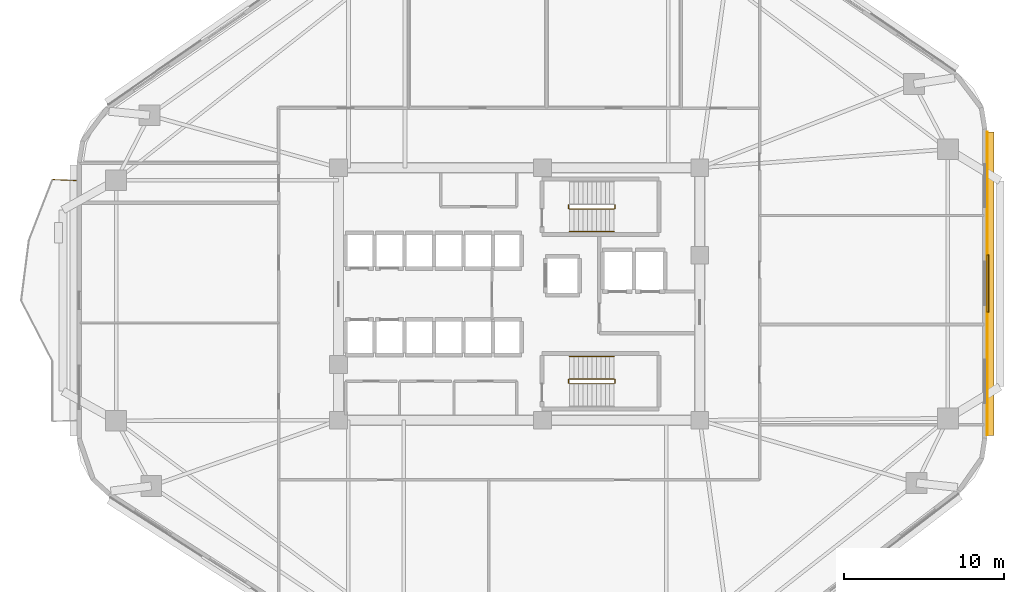
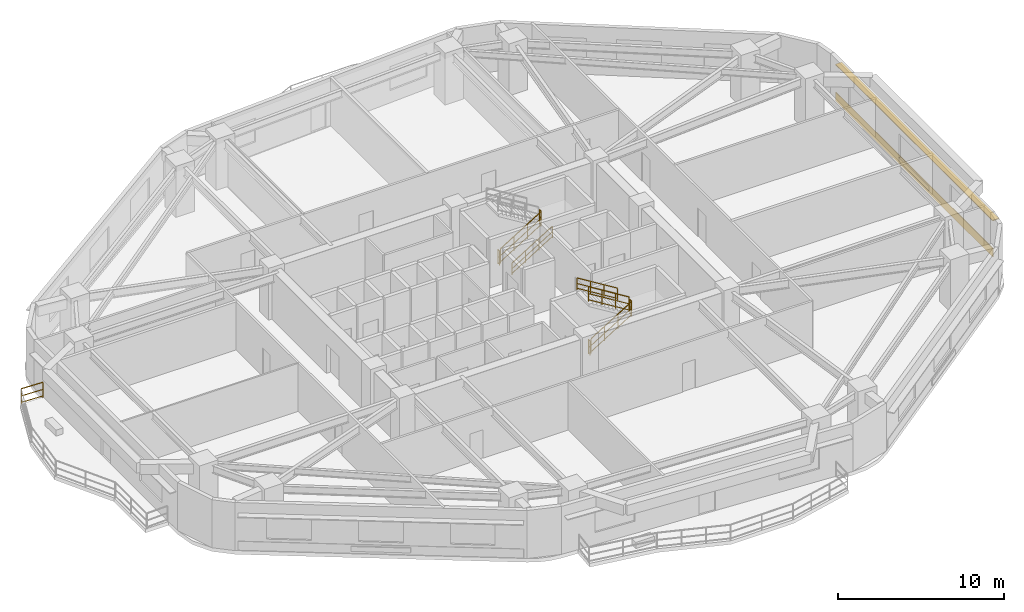
# One storey, part 8 of 9: 10 railings, 2 shading devices, 1 covering.
"""IFC4 building model written with IfcOpenShell, lengths in metres."""

from ifc_helpers import new_model, si_unit, direction, frame, origin, origin_2d, place, context, subcontext, project, spatial, rectangle, extrude, material, layer, layer_set, type_object, element, save


model = new_model("IFC4")

# Units and contexts
model_context = context("Model", 3, precision=1e-05, world=origin(), true_north=direction((0.0, 1.0)))
body_context = subcontext(model_context, "Body", "Model", "MODEL_VIEW")
ifc_project = project(units=[si_unit("LENGTHUNIT", "METRE"), si_unit("AREAUNIT", "SQUARE_METRE"), si_unit("VOLUMEUNIT", "CUBIC_METRE"), si_unit("PLANEANGLEUNIT", "RADIAN"), si_unit("MASSUNIT", "GRAM", prefix="KILO")], contexts=[model_context])

# Site, building, storey
site_placement = place(None, origin())
site = spatial("IfcSite", under=ifc_project, at=site_placement, CompositionType="ELEMENT")
building_placement = place(site_placement, origin())
building = spatial("IfcBuilding", under=site, at=building_placement, Name="Zulverin Broadcast Headquarters", CompositionType="ELEMENT")
storey_placement = place(building_placement, frame((0.0, 0.0, 51.60009765625)))
storey = spatial("IfcBuildingStorey", under=building, at=storey_placement, Name="L12", CompositionType="ELEMENT", Elevation=51.60009765625)

# Covering
ifc_material_1 = material(Name="Brushed pale-aluminium rainscreen cladding", Category="aluminium")
ifc_layer_1 = layer(ifc_material_1, 0.0400390625, Name="Brushed pale-aluminium rainscreen cladding", Category="aluminium")
ifc_layer_set_1 = layer_set([ifc_layer_1], Name="Brushed pale-aluminium rainscreen cladding")
covering_type = type_object("IfcCoveringType", Name="COV-CLAD-PALE", PredefinedType="CLADDING", material=ifc_layer_set_1)
covering_placement = place(storey_placement, frame((66.2099609375, 25.848876953125, 0.054931640625), z_axis=(0.0, 0.0, 1.0), x_axis=(0.0, 1.0, 0.0)))
element("IfcCovering", 1, at=covering_placement, inside=storey, type_object=covering_type, Name="L12 Brushed Pale-Aluminium Spandrel Cladding 3", PredefinedType="CLADDING", context=body_context, shape_type="SweptSolid", body=[
    extrude(rectangle(XDim=18.93115234375, YDim=0.0400390625, at=origin_2d()), origin(), (0.0, 0.0, 1.0), 0.64990234375),
])

# Railings
ifc_material_2 = material(Name="Brushed stainless steel & laminated glass balustrade", Category="steel")
railing_type_1 = type_object("IfcRailingType", Name="RL-GUARD-1150", PredefinedType="GUARDRAIL", material=ifc_material_2)
railing_1_placement = place(storey_placement, frame((9.360107421875, 32.284423828125, 0.0)))
element("IfcRailing", 2, at=railing_1_placement, inside=storey, type_object=railing_type_1, Name="L12 Vertical-Forest Balcony Guardrail BAL_W Segment 01", PredefinedType="GUARDRAIL", context=body_context, shape_type="SweptSolid", body=[
    extrude(rectangle(XDim=0.048095703125, YDim=0.048095703125, at=origin_2d()), frame((0.0, 0.0, 1.1259765625), z_axis=(-0.999181155166, 0.040460093435, 0.0), x_axis=(-0.040460093435, -0.999181155166, 0.0)), (0.0, 0.0, 1.0), 1.46630859375),
    extrude(rectangle(XDim=0.0419921875, YDim=0.0419921875, at=origin_2d()), frame((0.0, 0.0, 0.597900390625), z_axis=(-0.999181155166, 0.040460093435, 0.0), x_axis=(-0.040460093435, -0.999181155166, 0.0)), (0.0, 0.0, 1.0), 1.46630859375),
    extrude(rectangle(XDim=0.0419921875, YDim=0.0419921875, at=origin_2d()), frame((0.0, 0.0, 0.1201171875), z_axis=(-0.999181155166, 0.040460093435, 0.0), x_axis=(-0.040460093435, -0.999181155166, 0.0)), (0.0, 0.0, 1.0), 1.46630859375),
    extrude(rectangle(XDim=0.0419921875, YDim=0.0419921875, at=origin_2d()), origin(), (0.0, 0.0, 1.0), 1.101806640625),
    extrude(rectangle(XDim=0.0419921875, YDim=0.0419921875, at=origin_2d()), frame((-1.465087890625, 0.059326171875, 0.0)), (0.0, 0.0, 1.0), 1.101806640625),
])
ifc_material_3 = material(Name="Painted galvanized steel tubular guardrail S355JR", Category="steel")
railing_type_2 = type_object("IfcRailingType", Name="RL-ST-GUARD", PredefinedType="GUARDRAIL", material=ifc_material_3)
railing_2_placement = place(storey_placement, frame((40.1298828125, 30.5, 0.172607421875)))
element("IfcRailing", 3, at=railing_2_placement, inside=storey, type_object=railing_type_2, Name="L12 ST-1 stair guard 1", PredefinedType="GUARDRAIL", context=body_context, shape_type="SweptSolid", body=[
    extrude(rectangle(XDim=0.048095703125, YDim=0.048095703125, at=origin_2d()), frame((0.0, 0.0, 1.076171875), z_axis=(0.851089632645, 0.0, 0.525020415988), x_axis=(0.0, 1.0, 0.0)), (0.0, 0.0, 1.0), 3.2900390625),
    extrude(rectangle(XDim=0.0419921875, YDim=0.0419921875, at=origin_2d()), frame((0.0, 0.0, 0.572021484375), z_axis=(0.851089632645, 0.0, 0.525020415988), x_axis=(0.0, 1.0, 0.0)), (0.0, 0.0, 1.0), 3.2900390625),
    extrude(rectangle(XDim=0.0419921875, YDim=0.0419921875, at=origin_2d()), frame((0.0, 0.0, 0.1201171875), z_axis=(0.851089632645, 0.0, 0.525020415988), x_axis=(0.0, 1.0, 0.0)), (0.0, 0.0, 1.0), 3.2900390625),
    extrude(rectangle(XDim=0.0419921875, YDim=0.0419921875, at=origin_2d()), origin(), (0.0, 0.0, 1.0), 1.052001953125),
    extrude(rectangle(XDim=0.0419921875, YDim=0.0419921875, at=origin_2d()), frame((0.933349609375, 0.0, 0.57568359375)), (0.0, 0.0, 1.0), 1.052001953125),
    extrude(rectangle(XDim=0.0419921875, YDim=0.0419921875, at=origin_2d()), frame((1.86669921875, 0.0, 1.151611328125)), (0.0, 0.0, 1.0), 1.052001953125),
    extrude(rectangle(XDim=0.0419921875, YDim=0.0419921875, at=origin_2d()), frame((2.800048828125, 0.0, 1.727294921875)), (0.0, 0.0, 1.0), 1.052001953125),
])
for number, where, name in (
    (4, (42.97998046875, 30.550048828125, 1.89990234375), "L12 ST-1 stair guard 2"),
    (5, (40.080078125, 30.550048828125, 0.0), "L12 ST-1 stair guard 4"),
):
    element("IfcRailing", number, at=place(storey_placement, frame(where)), inside=storey, type_object=railing_type_2, Name=name, PredefinedType="GUARDRAIL", context=body_context, shape_type="SweptSolid", body=[
        extrude(rectangle(XDim=0.048095703125, YDim=0.048095703125, at=origin_2d()), frame((0.0, 0.0, 1.076171875), z_axis=(0.0, 1.0, 0.0), x_axis=(-1.0, 0.0, 0.0)), (0.0, 0.0, 1.0), 0.199951171875),
        extrude(rectangle(XDim=0.0419921875, YDim=0.0419921875, at=origin_2d()), frame((0.0, 0.0, 0.572021484375), z_axis=(0.0, 1.0, 0.0), x_axis=(-1.0, 0.0, 0.0)), (0.0, 0.0, 1.0), 0.199951171875),
        extrude(rectangle(XDim=0.0419921875, YDim=0.0419921875, at=origin_2d()), frame((0.0, 0.0, 0.1201171875), z_axis=(0.0, 1.0, 0.0), x_axis=(-1.0, 0.0, 0.0)), (0.0, 0.0, 1.0), 0.199951171875),
        extrude(rectangle(XDim=0.0419921875, YDim=0.0419921875, at=origin_2d()), origin(), (0.0, 0.0, 1.0), 1.052001953125),
        extrude(rectangle(XDim=0.0419921875, YDim=0.0419921875, at=origin_2d()), frame((0.0, 0.199951171875, 0.0)), (0.0, 0.0, 1.0), 1.052001953125),
    ])
railing_3_placement = place(storey_placement, frame((40.1298828125, 19.60009765625, 0.172607421875)))
element("IfcRailing", 6, at=railing_3_placement, inside=storey, type_object=railing_type_2, Name="L12 ST-2 stair guard 1", PredefinedType="GUARDRAIL", context=body_context, shape_type="SweptSolid", body=[
    extrude(rectangle(XDim=0.048095703125, YDim=0.048095703125, at=origin_2d()), frame((0.0, 0.0, 1.076171875), z_axis=(0.851089632645, 0.0, 0.525020415988), x_axis=(0.0, 1.0, 0.0)), (0.0, 0.0, 1.0), 3.2900390625),
    extrude(rectangle(XDim=0.0419921875, YDim=0.0419921875, at=origin_2d()), frame((0.0, 0.0, 0.572021484375), z_axis=(0.851089632645, 0.0, 0.525020415988), x_axis=(0.0, 1.0, 0.0)), (0.0, 0.0, 1.0), 3.2900390625),
    extrude(rectangle(XDim=0.0419921875, YDim=0.0419921875, at=origin_2d()), frame((0.0, 0.0, 0.1201171875), z_axis=(0.851089632645, 0.0, 0.525020415988), x_axis=(0.0, 1.0, 0.0)), (0.0, 0.0, 1.0), 3.2900390625),
    extrude(rectangle(XDim=0.0419921875, YDim=0.0419921875, at=origin_2d()), origin(), (0.0, 0.0, 1.0), 1.052001953125),
    extrude(rectangle(XDim=0.0419921875, YDim=0.0419921875, at=origin_2d()), frame((0.933349609375, 0.0, 0.57568359375)), (0.0, 0.0, 1.0), 1.052001953125),
    extrude(rectangle(XDim=0.0419921875, YDim=0.0419921875, at=origin_2d()), frame((1.86669921875, 0.0, 1.151611328125)), (0.0, 0.0, 1.0), 1.052001953125),
    extrude(rectangle(XDim=0.0419921875, YDim=0.0419921875, at=origin_2d()), frame((2.800048828125, 0.0, 1.727294921875)), (0.0, 0.0, 1.0), 1.052001953125),
])
railing_4_placement = place(storey_placement, frame((42.97998046875, 19.64990234375, 1.89990234375)))
element("IfcRailing", 7, at=railing_4_placement, inside=storey, type_object=railing_type_2, Name="L12 ST-2 stair guard 2", PredefinedType="GUARDRAIL", context=body_context, shape_type="SweptSolid", body=[
    extrude(rectangle(XDim=0.048095703125, YDim=0.048095703125, at=origin_2d()), frame((0.0, 0.0, 1.076171875), z_axis=(0.0, 1.0, 0.0), x_axis=(-1.0, 0.0, 0.0)), (0.0, 0.0, 1.0), 0.2001953125),
    extrude(rectangle(XDim=0.0419921875, YDim=0.0419921875, at=origin_2d()), frame((0.0, 0.0, 0.572021484375), z_axis=(0.0, 1.0, 0.0), x_axis=(-1.0, 0.0, 0.0)), (0.0, 0.0, 1.0), 0.2001953125),
    extrude(rectangle(XDim=0.0419921875, YDim=0.0419921875, at=origin_2d()), frame((0.0, 0.0, 0.1201171875), z_axis=(0.0, 1.0, 0.0), x_axis=(-1.0, 0.0, 0.0)), (0.0, 0.0, 1.0), 0.2001953125),
    extrude(rectangle(XDim=0.0419921875, YDim=0.0419921875, at=origin_2d()), origin(), (0.0, 0.0, 1.0), 1.052001953125),
    extrude(rectangle(XDim=0.0419921875, YDim=0.0419921875, at=origin_2d()), frame((0.0, 0.2001953125, 0.0)), (0.0, 0.0, 1.0), 1.052001953125),
])
railing_5_placement = place(storey_placement, frame((42.929931640625, 19.89990234375, 2.072509765625)))
element("IfcRailing", 8, at=railing_5_placement, inside=storey, type_object=railing_type_2, Name="L12 ST-2 stair guard 3", PredefinedType="GUARDRAIL", context=body_context, shape_type="SweptSolid", body=[
    extrude(rectangle(XDim=0.048095703125, YDim=0.048095703125, at=origin_2d()), frame((0.0, 0.0, 1.076171875), z_axis=(-0.851089632645, 0.0, 0.525020415988), x_axis=(0.0, -1.0, 0.0)), (0.0, 0.0, 1.0), 3.2900390625),
    extrude(rectangle(XDim=0.0419921875, YDim=0.0419921875, at=origin_2d()), frame((0.0, 0.0, 0.572021484375), z_axis=(-0.851089632645, 0.0, 0.525020415988), x_axis=(0.0, -1.0, 0.0)), (0.0, 0.0, 1.0), 3.2900390625),
    extrude(rectangle(XDim=0.0419921875, YDim=0.0419921875, at=origin_2d()), frame((0.0, 0.0, 0.1201171875), z_axis=(-0.851089632645, 0.0, 0.525020415988), x_axis=(0.0, -1.0, 0.0)), (0.0, 0.0, 1.0), 3.2900390625),
    extrude(rectangle(XDim=0.0419921875, YDim=0.0419921875, at=origin_2d()), origin(), (0.0, 0.0, 1.0), 1.052001953125),
    extrude(rectangle(XDim=0.0419921875, YDim=0.0419921875, at=origin_2d()), frame((-0.933349609375, 0.0, 0.57568359375)), (0.0, 0.0, 1.0), 1.052001953125),
    extrude(rectangle(XDim=0.0419921875, YDim=0.0419921875, at=origin_2d()), frame((-1.86669921875, 0.0, 1.151611328125)), (0.0, 0.0, 1.0), 1.052001953125),
    extrude(rectangle(XDim=0.0419921875, YDim=0.0419921875, at=origin_2d()), frame((-2.800048828125, 0.0, 1.727294921875)), (0.0, 0.0, 1.0), 1.052001953125),
])
railing_6_placement = place(storey_placement, frame((40.080078125, 19.64990234375, 0.0)))
element("IfcRailing", 9, at=railing_6_placement, inside=storey, type_object=railing_type_2, Name="L12 ST-2 stair guard 4", PredefinedType="GUARDRAIL", context=body_context, shape_type="SweptSolid", body=[
    extrude(rectangle(XDim=0.048095703125, YDim=0.048095703125, at=origin_2d()), frame((0.0, 0.0, 1.076171875), z_axis=(0.0, 1.0, 0.0), x_axis=(-1.0, 0.0, 0.0)), (0.0, 0.0, 1.0), 0.2001953125),
    extrude(rectangle(XDim=0.0419921875, YDim=0.0419921875, at=origin_2d()), frame((0.0, 0.0, 0.572021484375), z_axis=(0.0, 1.0, 0.0), x_axis=(-1.0, 0.0, 0.0)), (0.0, 0.0, 1.0), 0.2001953125),
    extrude(rectangle(XDim=0.0419921875, YDim=0.0419921875, at=origin_2d()), frame((0.0, 0.0, 0.1201171875), z_axis=(0.0, 1.0, 0.0), x_axis=(-1.0, 0.0, 0.0)), (0.0, 0.0, 1.0), 0.2001953125),
    extrude(rectangle(XDim=0.0419921875, YDim=0.0419921875, at=origin_2d()), origin(), (0.0, 0.0, 1.0), 1.052001953125),
    extrude(rectangle(XDim=0.0419921875, YDim=0.0419921875, at=origin_2d()), frame((0.0, 0.2001953125, 0.0)), (0.0, 0.0, 1.0), 1.052001953125),
])
ifc_material_4 = material(Name="Brushed stainless steel 48 mm handrail", Category="steel")
railing_type_3 = type_object("IfcRailingType", Name="RL-ST-HAND", PredefinedType="HANDRAIL", material=ifc_material_4)
railing_7_placement = place(storey_placement, frame((40.1298828125, 29.10009765625, 0.172607421875)))
element("IfcRailing", 10, at=railing_7_placement, inside=storey, type_object=railing_type_3, Name="L12 ST-1 stair handrail 1", PredefinedType="HANDRAIL", context=body_context, shape_type="SweptSolid", body=[
    extrude(rectangle(XDim=0.048095703125, YDim=0.048095703125, at=origin_2d()), frame((0.0, 0.0, 0.8759765625), z_axis=(0.851089632645, 0.0, 0.525020415988), x_axis=(0.0, 1.0, 0.0)), (0.0, 0.0, 1.0), 3.2900390625),
    extrude(rectangle(XDim=0.0419921875, YDim=0.0419921875, at=origin_2d()), frame((0.0, 0.0, 0.468017578125), z_axis=(0.851089632645, 0.0, 0.525020415988), x_axis=(0.0, 1.0, 0.0)), (0.0, 0.0, 1.0), 3.2900390625),
    extrude(rectangle(XDim=0.0419921875, YDim=0.0419921875, at=origin_2d()), frame((0.0, 0.0, 0.1201171875), z_axis=(0.851089632645, 0.0, 0.525020415988), x_axis=(0.0, 1.0, 0.0)), (0.0, 0.0, 1.0), 3.2900390625),
    extrude(rectangle(XDim=0.0419921875, YDim=0.0419921875, at=origin_2d()), origin(), (0.0, 0.0, 1.0), 0.851806640625),
    extrude(rectangle(XDim=0.0419921875, YDim=0.0419921875, at=origin_2d()), frame((0.933349609375, 0.0, 0.57568359375)), (0.0, 0.0, 1.0), 0.851806640625),
    extrude(rectangle(XDim=0.0419921875, YDim=0.0419921875, at=origin_2d()), frame((1.86669921875, 0.0, 1.151611328125)), (0.0, 0.0, 1.0), 0.851806640625),
    extrude(rectangle(XDim=0.0419921875, YDim=0.0419921875, at=origin_2d()), frame((2.800048828125, 0.0, 1.727294921875)), (0.0, 0.0, 1.0), 0.851806640625),
])
railing_8_placement = place(storey_placement, frame((42.929931640625, 21.300048828125, 2.072509765625)))
element("IfcRailing", 11, at=railing_8_placement, inside=storey, type_object=railing_type_3, Name="L12 ST-2 stair handrail 2", PredefinedType="HANDRAIL", context=body_context, shape_type="SweptSolid", body=[
    extrude(rectangle(XDim=0.048095703125, YDim=0.048095703125, at=origin_2d()), frame((0.0, 0.0, 0.8759765625), z_axis=(-0.851089632645, 0.0, 0.525020415988), x_axis=(0.0, -1.0, 0.0)), (0.0, 0.0, 1.0), 3.2900390625),
    extrude(rectangle(XDim=0.0419921875, YDim=0.0419921875, at=origin_2d()), frame((0.0, 0.0, 0.468017578125), z_axis=(-0.851089632645, 0.0, 0.525020415988), x_axis=(0.0, -1.0, 0.0)), (0.0, 0.0, 1.0), 3.2900390625),
    extrude(rectangle(XDim=0.0419921875, YDim=0.0419921875, at=origin_2d()), frame((0.0, 0.0, 0.1201171875), z_axis=(-0.851089632645, 0.0, 0.525020415988), x_axis=(0.0, -1.0, 0.0)), (0.0, 0.0, 1.0), 3.2900390625),
    extrude(rectangle(XDim=0.0419921875, YDim=0.0419921875, at=origin_2d()), origin(), (0.0, 0.0, 1.0), 0.851806640625),
    extrude(rectangle(XDim=0.0419921875, YDim=0.0419921875, at=origin_2d()), frame((-0.933349609375, 0.0, 0.57568359375)), (0.0, 0.0, 1.0), 0.851806640625),
    extrude(rectangle(XDim=0.0419921875, YDim=0.0419921875, at=origin_2d()), frame((-1.86669921875, 0.0, 1.151611328125)), (0.0, 0.0, 1.0), 0.851806640625),
    extrude(rectangle(XDim=0.0419921875, YDim=0.0419921875, at=origin_2d()), frame((-2.800048828125, 0.0, 1.727294921875)), (0.0, 0.0, 1.0), 0.851806640625),
])

# Shading devices
ifc_material_5 = material(Name="Anodized pale-metal aluminium acoustic louvre", Category="aluminium")
shading_device_type_1 = type_object("IfcShadingDeviceType", Name="SHD-LOUVRE-350", PredefinedType="USERDEFINED", material=ifc_material_5)
shading_device_1_placement = place(storey_placement, frame((66.239990234375, 25.848876953125, 0.244873046875), z_axis=(0.0, 0.0, 1.0), x_axis=(0.0, 1.0, 0.0)))
element("IfcShadingDevice", 12, at=shading_device_1_placement, inside=storey, type_object=shading_device_type_1, Name="L12 Spandrel Intake Louvre 3", ObjectType="LOUVRE", PredefinedType="USERDEFINED", context=body_context, shape_type="SweptSolid", body=[
    extrude(rectangle(XDim=3.60009765625, YDim=0.1201171875, at=origin_2d()), origin(), (0.0, 0.0, 1.0), 0.35009765625),
])
ifc_material_6 = material(Name="Anodized pale-metal aluminium sunshade", Category="aluminium")
ifc_layer_2 = layer(ifc_material_6, 0.06005859375, Name="Anodized pale-metal aluminium sunshade", Category="aluminium")
ifc_layer_set_2 = layer_set([ifc_layer_2], Name="Anodized pale-metal aluminium sunshade")
shading_device_type_2 = type_object("IfcShadingDeviceType", Name="SS-01_PALE_METAL_ALUMINIUM_SUNSHADE", PredefinedType="USERDEFINED", material=ifc_layer_set_2)
shading_device_2_placement = place(storey_placement, frame((66.39990234375, 25.848876953125, 2.7099609375), z_axis=(0.0, 0.0, 1.0), x_axis=(0.0, 1.0, 0.0)))
element("IfcShadingDevice", 13, at=shading_device_2_placement, inside=storey, type_object=shading_device_type_2, Name="L12 Horizontal Pale-Metal Sunshade Band 3", ObjectType="SUNSHADE", PredefinedType="USERDEFINED", context=body_context, shape_type="SweptSolid", body=[
    extrude(rectangle(XDim=18.93115234375, YDim=0.449951171875, at=origin_2d()), origin(), (0.0, 0.0, 1.0), 0.06005859375),
])

save(model, "model.ifc")
